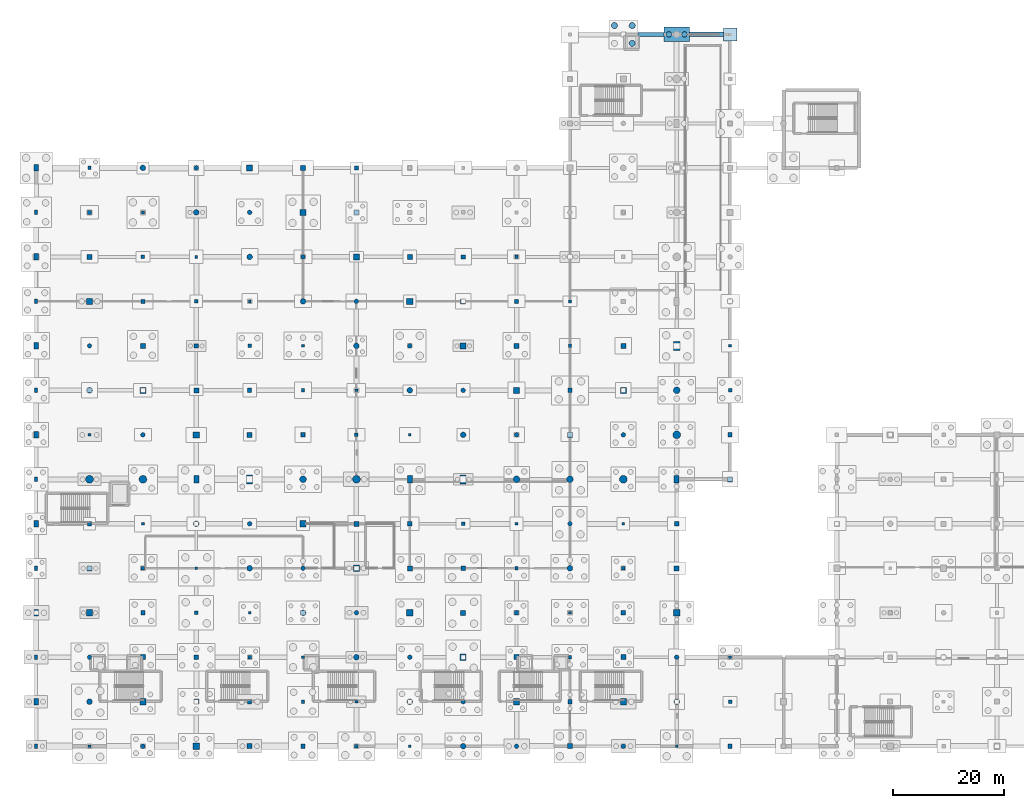
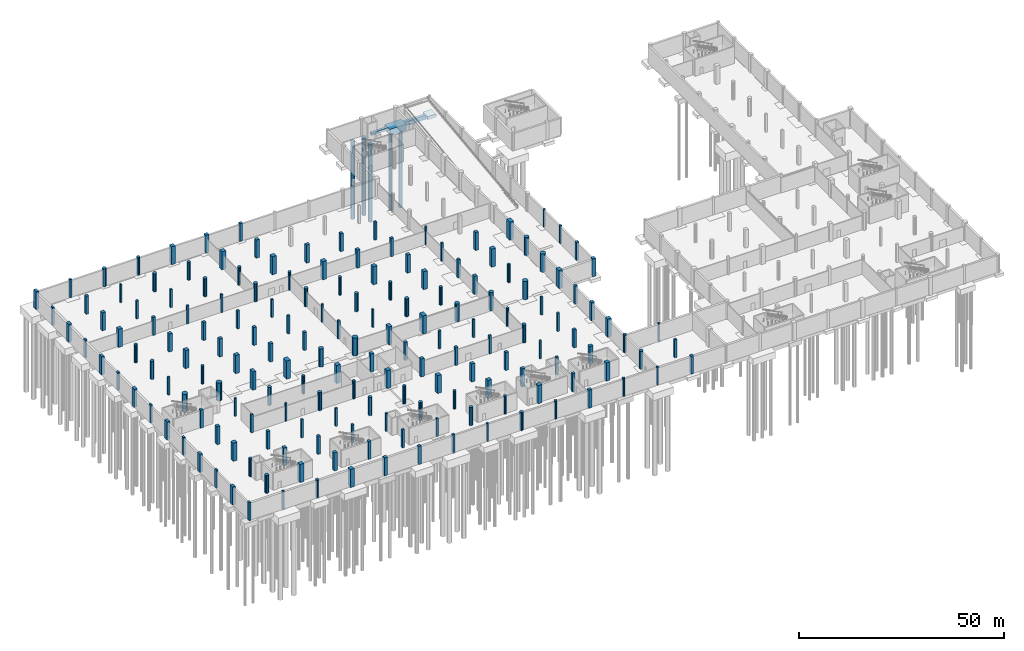
# One storey, part 13 of 44: 172 columns, 5 piles, 4 footings.
"""IFC4 building model written with IfcOpenShell, lengths in metres."""

from ifc_helpers import new_model, si_unit, direction, frame, origin, origin_2d, place, context, subcontext, project, spatial, rectangle, circle, extrude, material, material_profile, profile_set, type_object, element, save


model = new_model("IFC4")

# Units and contexts
model_context = context("Model", 3, precision=1e-05, world=origin(), true_north=direction((0.0, 1.0)))
body_context = subcontext(model_context, "Body", "Model", "MODEL_VIEW")
ifc_project = project(units=[si_unit("LENGTHUNIT", "METRE"), si_unit("AREAUNIT", "SQUARE_METRE"), si_unit("VOLUMEUNIT", "CUBIC_METRE"), si_unit("PLANEANGLEUNIT", "RADIAN"), si_unit("MASSUNIT", "GRAM", prefix="KILO")], contexts=[model_context])

# Site, building, storey
site_placement = place(None, origin())
site = spatial("IfcSite", under=ifc_project, at=site_placement, CompositionType="ELEMENT")
building_placement = place(site_placement, origin())
building = spatial("IfcBuilding", under=site, at=building_placement, Name="Danafjord Basin Convention Centre", CompositionType="ELEMENT")
storey_placement = place(building_placement, frame((0.0, 0.0, -5.39990234375)))
storey = spatial("IfcBuildingStorey", under=building, at=storey_placement, Name="B1", CompositionType="ELEMENT", Elevation=-5.39990234375)

# Footings
ifc_material_1 = material(Name="Concrete C40/50", Category="concrete")
footing_type_1 = type_object("IfcFootingType", Name="CAP-PC-05", PredefinedType="PILE_CAP", material=ifc_material_1)
footing_1_placement = place(storey_placement, frame((115.199951171875, 136.0, -1.7001953125), z_axis=(0.0, 0.0, 1.0), x_axis=(1.0, 0.0, 0.0)))
element("IfcFooting", 1, at=footing_1_placement, inside=storey, type_object=footing_type_1, Name="B1 pile cap PC-05 at (115.2, 136.0)", PredefinedType="PILE_CAP", context=body_context, shape_type="SweptSolid", body=[
    extrude(rectangle(XDim=4.60009765625, YDim=2.60009765625, at=origin_2d()), origin(), (0.0, 0.0, 1.0), 1.699951171875),
])
ifc_material_profile_1 = material_profile(ifc_material_1, rectangle(XDim=0.75, YDim=0.75, at=origin_2d()), Name="RC 750x750")
ifc_profile_set_1 = profile_set([ifc_material_profile_1], Name="Concrete C40/50")
footing_type_2 = type_object("IfcFootingType", Name="FBM-FB-04", PredefinedType="FOOTING_BEAM", material=ifc_profile_set_1)
footing_2_placement = place(storey_placement, frame((108.199951171875, 136.0, -0.375), z_axis=(1.0, 0.0, 0.0), x_axis=(0.0, 1.0, 0.0)))
element("IfcFooting", 2, at=footing_2_placement, inside=storey, type_object=footing_type_2, Name="B1 foundation beam FB-04", PredefinedType="FOOTING_BEAM", context=body_context, shape_type="SweptSolid", body=[
    extrude(rectangle(XDim=0.75, YDim=0.75, at=origin_2d()), origin(), (0.0, 0.0, 1.0), 4.699951171875),
])
ifc_material_profile_2 = material_profile(ifc_material_1, rectangle(XDim=0.800048828125, YDim=1.199951171875, at=origin_2d()), Name="RC 1200x800")
ifc_profile_set_2 = profile_set([ifc_material_profile_2], Name="Concrete C40/50")
footing_type_3 = type_object("IfcFootingType", Name="FBM-FB-06", PredefinedType="FOOTING_BEAM", material=ifc_profile_set_2)
footing_3_placement = place(storey_placement, frame((117.5, 136.0, -0.60009765625), z_axis=(1.0, 0.0, 0.0), x_axis=(0.0, 1.0, 0.0)))
element("IfcFooting", 3, at=footing_3_placement, inside=storey, type_object=footing_type_3, Name="B1 foundation beam FB-06", PredefinedType="FOOTING_BEAM", context=body_context, shape_type="SweptSolid", body=[
    extrude(rectangle(XDim=0.800048828125, YDim=1.199951171875, at=origin_2d()), origin(), (0.0, 0.0, 1.0), 6.10009765625),
])
ifc_material_2 = material(Name="Concrete C35/45", Category="concrete")
footing_type_4 = type_object("IfcFootingType", Name="PAD-PF-03", PredefinedType="PAD_FOOTING", material=ifc_material_2)
footing_4_placement = place(storey_placement, frame((124.800048828125, 136.0, -0.900146484375), z_axis=(0.0, 0.0, 1.0), x_axis=(1.0, 0.0, 0.0)))
element("IfcFooting", 4, at=footing_4_placement, inside=storey, type_object=footing_type_4, Name="B1 pad footing PF-03 at (124.8, 136.0)", PredefinedType="PAD_FOOTING", context=body_context, shape_type="SweptSolid", body=[
    extrude(rectangle(XDim=2.39990234375, YDim=2.39990234375, at=origin_2d()), origin(), (0.0, 0.0, 1.0), 0.89990234375),
])

# Piles
ifc_material_profile_3 = material_profile(ifc_material_1, circle(Radius=0.5, at=origin_2d()), Name="PILE D1000")
ifc_profile_set_3 = profile_set([ifc_material_profile_3], Name="Concrete C40/50")
pile_type_1 = type_object("IfcPileType", Name="PILE-PL-1000", PredefinedType="BORED", material=ifc_profile_set_3)
for number, where, z_axis, x_axis, name in (
    (5, (113.800048828125, 136.0, -1.60009765625), (0.0, 0.0, -1.0), (1.0, 0.0, 0.0), "PC-05 bored pile 1-1"),
    (6, (116.60009765625, 136.0, -1.60009765625), (0.0, 0.0, -1.0), (1.0, 0.0, 0.0), "PC-05 bored pile 2-1"),
):
    element("IfcPile", number, at=place(storey_placement, frame(where, z_axis=z_axis, x_axis=x_axis)), inside=storey, type_object=pile_type_1, Name=name, PredefinedType="BORED", context=body_context, shape_type="SweptSolid", body=[
        extrude(circle(Radius=0.5, at=origin_2d()), origin(), (0.0, 0.0, 1.0), 23.5),
    ])
ifc_material_profile_4 = material_profile(ifc_material_1, circle(Radius=0.550048828125, at=origin_2d()), Name="PILE D1100")
ifc_profile_set_4 = profile_set([ifc_material_profile_4], Name="Concrete C40/50")
pile_type_2 = type_object("IfcPileType", Name="PILE-PL-1100", PredefinedType="BORED", material=ifc_profile_set_4)
for number, where, z_axis, x_axis, name in (
    (7, (104.0, 137.60009765625, -1.900146484375), (0.0, 0.0, -1.0), (1.0, 0.0, 0.0), "PC-13 bored pile 1-2"),
    (8, (107.199951171875, 134.39990234375, -1.900146484375), (0.0, 0.0, -1.0), (1.0, 0.0, 0.0), "PC-13 bored pile 2-1"),
    (9, (107.199951171875, 137.60009765625, -1.900146484375), (0.0, 0.0, -1.0), (1.0, 0.0, 0.0), "PC-13 bored pile 2-2"),
):
    element("IfcPile", number, at=place(storey_placement, frame(where, z_axis=z_axis, x_axis=x_axis)), inside=storey, type_object=pile_type_2, Name=name, PredefinedType="BORED", context=body_context, shape_type="SweptSolid", body=[
        extrude(circle(Radius=0.550048828125, at=origin_2d()), origin(), (0.0, 0.0, 1.0), 23.199951171875),
    ])

# Columns
ifc_material_3 = material(Name="Precast concrete C45/55", Category="concrete")
ifc_material_profile_5 = material_profile(ifc_material_3, rectangle(XDim=0.800048828125, YDim=1.199951171875, at=origin_2d()), Name="RC 1200x800")
ifc_profile_set_5 = profile_set([ifc_material_profile_5], Name="Precast concrete C45/55")
column_type_1 = type_object("IfcColumnType", Name="COL-C-PIL1200", PredefinedType="PILASTER", material=ifc_profile_set_5)
for number, where, z_axis, x_axis, name in (
    (10, (0.0, 16.0, 0.0), (0.0, 0.0, 1.0), (1.0, 0.0, 0.0), "B1 column C-PIL1200 at (0.0, 16.0)"),
    (11, (0.0, 32.0, 0.0), (0.0, 0.0, 1.0), (1.0, 0.0, 0.0), "B1 column C-PIL1200 at (0.0, 32.0)"),
    (12, (0.0, 48.0, 0.0), (0.0, 0.0, 1.0), (1.0, 0.0, 0.0), "B1 column C-PIL1200 at (0.0, 48.0)"),
    (13, (0.0, 64.0, 0.0), (0.0, 0.0, 1.0), (1.0, 0.0, 0.0), "B1 column C-PIL1200 at (0.0, 64.0)"),
    (14, (0.0, 80.0, 0.0), (0.0, 0.0, 1.0), (1.0, 0.0, 0.0), "B1 column C-PIL1200 at (0.0, 80.0)"),
    (15, (0.0, 96.0, 0.0), (0.0, 0.0, 1.0), (1.0, 0.0, 0.0), "B1 column C-PIL1200 at (0.0, 96.0)"),
    (16, (0.0, 112.0, 0.0), (0.0, 0.0, 1.0), (1.0, 0.0, 0.0), "B1 column C-PIL1200 at (0.0, 112.0)"),
):
    element("IfcColumn", number, at=place(storey_placement, frame(where, z_axis=z_axis, x_axis=x_axis)), inside=storey, type_object=column_type_1, Name=name, PredefinedType="PILASTER", context=body_context, shape_type="SweptSolid", body=[
        extrude(rectangle(XDim=0.800048828125, YDim=1.199951171875, at=origin_2d()), origin(), (0.0, 0.0, 1.0), 5.39990234375),
    ])
ifc_material_profile_6 = material_profile(ifc_material_3, rectangle(XDim=0.5, YDim=0.800048828125, at=origin_2d()), Name="PCB 500x800")
ifc_profile_set_6 = profile_set([ifc_material_profile_6], Name="Precast concrete C45/55")
column_type_2 = type_object("IfcColumnType", Name="COL-C-PIL800", PredefinedType="PILASTER", material=ifc_profile_set_6)
for number, where, z_axis, x_axis, name in (
    (17, (0.0, 8.0, 0.0), (0.0, 0.0, 1.0), (1.0, 0.0, 0.0), "B1 column C-PIL800 at (0.0, 8.0)"),
    (18, (0.0, 24.0, 0.0), (0.0, 0.0, 1.0), (1.0, 0.0, 0.0), "B1 column C-PIL800 at (0.0, 24.0)"),
    (19, (0.0, 40.0, 0.0), (0.0, 0.0, 1.0), (1.0, 0.0, 0.0), "B1 column C-PIL800 at (0.0, 40.0)"),
    (20, (0.0, 56.0, 0.0), (0.0, 0.0, 1.0), (1.0, 0.0, 0.0), "B1 column C-PIL800 at (0.0, 56.0)"),
    (21, (0.0, 72.0, 0.0), (0.0, 0.0, 1.0), (1.0, 0.0, 0.0), "B1 column C-PIL800 at (0.0, 72.0)"),
    (22, (0.0, 88.0, 0.0), (0.0, 0.0, 1.0), (1.0, 0.0, 0.0), "B1 column C-PIL800 at (0.0, 88.0)"),
    (23, (0.0, 104.0, 0.0), (0.0, 0.0, 1.0), (1.0, 0.0, 0.0), "B1 column C-PIL800 at (0.0, 104.0)"),
):
    element("IfcColumn", number, at=place(storey_placement, frame(where, z_axis=z_axis, x_axis=x_axis)), inside=storey, type_object=column_type_2, Name=name, PredefinedType="PILASTER", context=body_context, shape_type="SweptSolid", body=[
        extrude(rectangle(XDim=0.5, YDim=0.800048828125, at=origin_2d()), origin(), (0.0, 0.0, 1.0), 5.39990234375),
    ])
ifc_material_4 = material(Name="Concrete C45/55", Category="concrete")
ifc_material_profile_7 = material_profile(ifc_material_4, rectangle(XDim=1.10009765625, YDim=1.10009765625, at=origin_2d()), Name="RC 1100x1100")
ifc_profile_set_7 = profile_set([ifc_material_profile_7], Name="Concrete C45/55")
column_type_3 = type_object("IfcColumnType", Name="COL-C-RC1100", PredefinedType="COLUMN", material=ifc_profile_set_7)
for number, where, z_axis, x_axis, name in (
    (24, (9.60009765625, 32.0, 0.0), (0.0, 0.0, 1.0), (1.0, 0.0, 0.0), "B1 column C-RC1100 at (9.6, 32.0)"),
    (25, (9.60009765625, 88.0, 0.0), (0.0, 0.0, 1.0), (1.0, 0.0, 0.0), "B1 column C-RC1100 at (9.6, 88.0)"),
    (26, (19.199951171875, 16.0, 0.0), (0.0, 0.0, 1.0), (1.0, 0.0, 0.0), "B1 column C-RC1100 at (19.2, 16.0)"),
    (27, (19.199951171875, 72.0, 0.0), (0.0, 0.0, 1.0), (1.0, 0.0, 0.0), "B1 column C-RC1100 at (19.2, 72.0)"),
    (28, (28.800048828125, 8.0, 0.0), (0.0, 0.0, 1.0), (1.0, 0.0, 0.0), "B1 column C-RC1100 at (28.8, 8.0)"),
    (29, (28.800048828125, 64.0, 0.0), (0.0, 0.0, 1.0), (1.0, 0.0, 0.0), "B1 column C-RC1100 at (28.8, 64.0)"),
    (30, (38.39990234375, 112.0, 0.0), (0.0, 0.0, 1.0), (1.0, 0.0, 0.0), "B1 column C-RC1100 at (38.4, 112.0)"),
    (31, (48.0, 48.0, 0.0), (0.0, 0.0, 1.0), (1.0, 0.0, 0.0), "B1 column C-RC1100 at (48.0, 48.0)"),
    (32, (48.0, 104.0, 0.0), (0.0, 0.0, 1.0), (1.0, 0.0, 0.0), "B1 column C-RC1100 at (48.0, 104.0)"),
    (33, (57.60009765625, 40.0, 0.0), (0.0, 0.0, 1.0), (1.0, 0.0, 0.0), "B1 column C-RC1100 at (57.6, 40.0)"),
    (34, (57.60009765625, 96.0, 0.0), (0.0, 0.0, 1.0), (1.0, 0.0, 0.0), "B1 column C-RC1100 at (57.6, 96.0)"),
    (35, (67.199951171875, 32.0, 0.0), (0.0, 0.0, 1.0), (1.0, 0.0, 0.0), "B1 column C-RC1100 at (67.2, 32.0)"),
    (36, (67.199951171875, 88.0, 0.0), (0.0, 0.0, 1.0), (1.0, 0.0, 0.0), "B1 column C-RC1100 at (67.2, 88.0)"),
    (37, (76.800048828125, 24.0, 0.0), (0.0, 0.0, 1.0), (1.0, 0.0, 0.0), "B1 column C-RC1100 at (76.8, 24.0)"),
    (38, (76.800048828125, 80.0, 0.0), (0.0, 0.0, 1.0), (1.0, 0.0, 0.0), "B1 column C-RC1100 at (76.8, 80.0)"),
    (39, (86.39990234375, 16.0, 0.0), (0.0, 0.0, 1.0), (1.0, 0.0, 0.0), "B1 column C-RC1100 at (86.4, 16.0)"),
    (40, (86.39990234375, 72.0, 0.0), (0.0, 0.0, 1.0), (1.0, 0.0, 0.0), "B1 column C-RC1100 at (86.4, 72.0)"),
    (41, (105.60009765625, 16.0, 0.0), (0.0, 0.0, 1.0), (1.0, 0.0, 0.0), "B1 column C-RC1100 at (105.6, 16.0)"),
    (42, (105.60009765625, 72.0, 0.0), (0.0, 0.0, 1.0), (1.0, 0.0, 0.0), "B1 column C-RC1100 at (105.6, 72.0)"),
    (43, (115.199951171875, 32.0, 0.0), (0.0, 0.0, 1.0), (1.0, 0.0, 0.0), "B1 column C-RC1100 at (115.2, 32.0)"),
):
    element("IfcColumn", number, at=place(storey_placement, frame(where, z_axis=z_axis, x_axis=x_axis)), inside=storey, type_object=column_type_3, Name=name, PredefinedType="COLUMN", context=body_context, shape_type="SweptSolid", body=[
        extrude(rectangle(XDim=1.10009765625, YDim=1.10009765625, at=origin_2d()), origin(), (0.0, 0.0, 1.0), 5.39990234375),
    ])
ifc_material_5 = material(Name="Concrete C50/60", Category="concrete")
ifc_material_profile_8 = material_profile(ifc_material_5, rectangle(XDim=0.89990234375, YDim=1.39990234375, at=origin_2d()), Name="RC 1400x900")
ifc_profile_set_8 = profile_set([ifc_material_profile_8], Name="Concrete C50/60")
column_type_4 = type_object("IfcColumnType", Name="COL-C-RC1400", PredefinedType="COLUMN", material=ifc_profile_set_8)
for number, where, z_axis, x_axis, name in (
    (44, (28.800048828125, 56.0, 0.0), (0.0, 0.0, 1.0), (1.0, 0.0, 0.0), "B1 column C-RC1400 at (28.8, 56.0)"),
    (45, (67.199951171875, 56.0, 0.0), (0.0, 0.0, 1.0), (1.0, 0.0, 0.0), "B1 column C-RC1400 at (67.2, 56.0)"),
    (46, (115.199951171875, 56.0, 0.0), (0.0, 0.0, 1.0), (1.0, 0.0, 0.0), "B1 column C-RC1400 at (115.2, 56.0)"),
):
    element("IfcColumn", number, at=place(storey_placement, frame(where, z_axis=z_axis, x_axis=x_axis)), inside=storey, type_object=column_type_4, Name=name, PredefinedType="COLUMN", context=body_context, shape_type="SweptSolid", body=[
        extrude(rectangle(XDim=0.89990234375, YDim=1.39990234375, at=origin_2d()), origin(), (0.0, 0.0, 1.0), 5.39990234375),
    ])
ifc_material_profile_9 = material_profile(ifc_material_5, rectangle(XDim=1.10009765625, YDim=1.60009765625, at=origin_2d()), Name="RC 1600x1100")
ifc_profile_set_9 = profile_set([ifc_material_profile_9], Name="Concrete C50/60")
column_type_5 = type_object("IfcColumnType", Name="COL-C-RC1600", PredefinedType="COLUMN", material=ifc_profile_set_9)
for number, where, z_axis, x_axis, name in (
    (47, (38.39990234375, 56.0, 0.0), (0.0, 0.0, 1.0), (1.0, 0.0, 0.0), "B1 column C-RC1600 at (38.4, 56.0)"),
    (48, (76.800048828125, 56.0, 0.0), (0.0, 0.0, 1.0), (1.0, 0.0, 0.0), "B1 column C-RC1600 at (76.8, 56.0)"),
    (49, (115.199951171875, 80.0, 0.0), (0.0, 0.0, 1.0), (1.0, 0.0, 0.0), "B1 column C-RC1600 at (115.2, 80.0)"),
):
    element("IfcColumn", number, at=place(storey_placement, frame(where, z_axis=z_axis, x_axis=x_axis)), inside=storey, type_object=column_type_5, Name=name, PredefinedType="COLUMN", context=body_context, shape_type="SweptSolid", body=[
        extrude(rectangle(XDim=1.10009765625, YDim=1.60009765625, at=origin_2d()), origin(), (0.0, 0.0, 1.0), 5.39990234375),
    ])
ifc_material_profile_10 = material_profile(ifc_material_1, rectangle(XDim=0.5, YDim=0.5, at=origin_2d()), Name="RC 500x500")
ifc_profile_set_10 = profile_set([ifc_material_profile_10], Name="Concrete C40/50")
column_type_6 = type_object("IfcColumnType", Name="COL-C-RC500", PredefinedType="COLUMN", material=ifc_profile_set_10)
for number, where, z_axis, x_axis, name in (
    (50, (9.60009765625, 8.0, 0.0), (0.0, 0.0, 1.0), (1.0, 0.0, 0.0), "B1 column C-RC500 at (9.6, 8.0)"),
    (51, (9.60009765625, 64.0, 0.0), (0.0, 0.0, 1.0), (1.0, 0.0, 0.0), "B1 column C-RC500 at (9.6, 64.0)"),
    (52, (19.199951171875, 48.0, 0.0), (0.0, 0.0, 1.0), (1.0, 0.0, 0.0), "B1 column C-RC500 at (19.2, 48.0)"),
    (53, (19.199951171875, 104.0, 0.0), (0.0, 0.0, 1.0), (1.0, 0.0, 0.0), "B1 column C-RC500 at (19.2, 104.0)"),
    (54, (28.800048828125, 40.0, 0.0), (0.0, 0.0, 1.0), (1.0, 0.0, 0.0), "B1 column C-RC500 at (28.8, 40.0)"),
    (55, (28.800048828125, 96.0, 0.0), (0.0, 0.0, 1.0), (1.0, 0.0, 0.0), "B1 column C-RC500 at (28.8, 96.0)"),
    (56, (38.39990234375, 32.0, 0.0), (0.0, 0.0, 1.0), (1.0, 0.0, 0.0), "B1 column C-RC500 at (38.4, 32.0)"),
    (57, (38.39990234375, 88.0, 0.0), (0.0, 0.0, 1.0), (1.0, 0.0, 0.0), "B1 column C-RC500 at (38.4, 88.0)"),
    (58, (48.0, 24.0, 0.0), (0.0, 0.0, 1.0), (1.0, 0.0, 0.0), "B1 column C-RC500 at (48.0, 24.0)"),
    (59, (48.0, 80.0, 0.0), (0.0, 0.0, 1.0), (1.0, 0.0, 0.0), "B1 column C-RC500 at (48.0, 80.0)"),
    (60, (57.60009765625, 16.0, 0.0), (0.0, 0.0, 1.0), (1.0, 0.0, 0.0), "B1 column C-RC500 at (57.6, 16.0)"),
    (61, (57.60009765625, 72.0, 0.0), (0.0, 0.0, 1.0), (1.0, 0.0, 0.0), "B1 column C-RC500 at (57.6, 72.0)"),
    (62, (67.199951171875, 8.0, 0.0), (0.0, 0.0, 1.0), (1.0, 0.0, 0.0), "B1 column C-RC500 at (67.2, 8.0)"),
    (63, (67.199951171875, 64.0, 0.0), (0.0, 0.0, 1.0), (1.0, 0.0, 0.0), "B1 column C-RC500 at (67.2, 64.0)"),
    (64, (86.39990234375, 48.0, 0.0), (0.0, 0.0, 1.0), (1.0, 0.0, 0.0), "B1 column C-RC500 at (86.4, 48.0)"),
    (65, (96.0, 32.0, 0.0), (0.0, 0.0, 1.0), (1.0, 0.0, 0.0), "B1 column C-RC500 at (96.0, 32.0)"),
    (66, (96.0, 88.0, 0.0), (0.0, 0.0, 1.0), (1.0, 0.0, 0.0), "B1 column C-RC500 at (96.0, 88.0)"),
    (67, (105.60009765625, 48.0, 0.0), (0.0, 0.0, 1.0), (1.0, 0.0, 0.0), "B1 column C-RC500 at (105.6, 48.0)"),
    (68, (115.199951171875, 8.0, 0.0), (0.0, 0.0, 1.0), (1.0, 0.0, 0.0), "B1 column C-RC500 at (115.2, 8.0)"),
    (69, (124.800048828125, 24.0, 0.0), (0.0, 0.0, 1.0), (1.0, 0.0, 0.0), "B1 column C-RC500 at (124.8, 24.0)"),
    (70, (124.800048828125, 80.0, 0.0), (0.0, 0.0, 1.0), (1.0, 0.0, 0.0), "B1 column C-RC500 at (124.8, 80.0)"),
):
    element("IfcColumn", number, at=place(storey_placement, frame(where, z_axis=z_axis, x_axis=x_axis)), inside=storey, type_object=column_type_6, Name=name, PredefinedType="COLUMN", context=body_context, shape_type="SweptSolid", body=[
        extrude(rectangle(XDim=0.5, YDim=0.5, at=origin_2d()), origin(), (0.0, 0.0, 1.0), 5.39990234375),
    ])
ifc_material_profile_11 = material_profile(ifc_material_1, rectangle(XDim=0.60009765625, YDim=0.60009765625, at=origin_2d()), Name="RC 600x600")
ifc_profile_set_11 = profile_set([ifc_material_profile_11], Name="Concrete C40/50")
column_type_7 = type_object("IfcColumnType", Name="COL-C-RC600", PredefinedType="COLUMN", material=ifc_profile_set_11)
for number, where, z_axis, x_axis, name in (
    (71, (9.60009765625, 112.0, 0.0), (0.0, 0.0, 1.0), (1.0, 0.0, 0.0), "B1 column C-RC600 at (9.6, 112.0)"),
    (72, (19.199951171875, 40.0, 0.0), (0.0, 0.0, 1.0), (1.0, 0.0, 0.0), "B1 column C-RC600 at (19.2, 40.0)"),
    (73, (19.199951171875, 96.0, 0.0), (0.0, 0.0, 1.0), (1.0, 0.0, 0.0), "B1 column C-RC600 at (19.2, 96.0)"),
    (74, (28.800048828125, 32.0, 0.0), (0.0, 0.0, 1.0), (1.0, 0.0, 0.0), "B1 column C-RC600 at (28.8, 32.0)"),
    (75, (28.800048828125, 88.0, 0.0), (0.0, 0.0, 1.0), (1.0, 0.0, 0.0), "B1 column C-RC600 at (28.8, 88.0)"),
    (76, (38.39990234375, 24.0, 0.0), (0.0, 0.0, 1.0), (1.0, 0.0, 0.0), "B1 column C-RC600 at (38.4, 24.0)"),
    (77, (38.39990234375, 80.0, 0.0), (0.0, 0.0, 1.0), (1.0, 0.0, 0.0), "B1 column C-RC600 at (38.4, 80.0)"),
    (78, (48.0, 16.0, 0.0), (0.0, 0.0, 1.0), (1.0, 0.0, 0.0), "B1 column C-RC600 at (48.0, 16.0)"),
    (79, (48.0, 72.0, 0.0), (0.0, 0.0, 1.0), (1.0, 0.0, 0.0), "B1 column C-RC600 at (48.0, 72.0)"),
    (80, (57.60009765625, 8.0, 0.0), (0.0, 0.0, 1.0), (1.0, 0.0, 0.0), "B1 column C-RC600 at (57.6, 8.0)"),
    (81, (57.60009765625, 64.0, 0.0), (0.0, 0.0, 1.0), (1.0, 0.0, 0.0), "B1 column C-RC600 at (57.6, 64.0)"),
    (82, (76.800048828125, 48.0, 0.0), (0.0, 0.0, 1.0), (1.0, 0.0, 0.0), "B1 column C-RC600 at (76.8, 48.0)"),
    (83, (86.39990234375, 40.0, 0.0), (0.0, 0.0, 1.0), (1.0, 0.0, 0.0), "B1 column C-RC600 at (86.4, 40.0)"),
    (84, (86.39990234375, 96.0, 0.0), (0.0, 0.0, 1.0), (1.0, 0.0, 0.0), "B1 column C-RC600 at (86.4, 96.0)"),
    (85, (96.0, 24.0, 0.0), (0.0, 0.0, 1.0), (1.0, 0.0, 0.0), "B1 column C-RC600 at (96.0, 24.0)"),
    (86, (96.0, 80.0, 0.0), (0.0, 0.0, 1.0), (1.0, 0.0, 0.0), "B1 column C-RC600 at (96.0, 80.0)"),
    (87, (105.60009765625, 40.0, 0.0), (0.0, 0.0, 1.0), (1.0, 0.0, 0.0), "B1 column C-RC600 at (105.6, 40.0)"),
    (88, (124.800048828125, 16.0, 0.0), (0.0, 0.0, 1.0), (1.0, 0.0, 0.0), "B1 column C-RC600 at (124.8, 16.0)"),
    (89, (124.800048828125, 72.0, 0.0), (0.0, 0.0, 1.0), (1.0, 0.0, 0.0), "B1 column C-RC600 at (124.8, 72.0)"),
):
    element("IfcColumn", number, at=place(storey_placement, frame(where, z_axis=z_axis, x_axis=x_axis)), inside=storey, type_object=column_type_7, Name=name, PredefinedType="COLUMN", context=body_context, shape_type="SweptSolid", body=[
        extrude(rectangle(XDim=0.60009765625, YDim=0.60009765625, at=origin_2d()), origin(), (0.0, 0.0, 1.0), 5.39990234375),
    ])
ifc_material_profile_12 = material_profile(ifc_material_1, rectangle(XDim=0.75, YDim=0.75, at=origin_2d()), Name="RC 750x750")
ifc_profile_set_12 = profile_set([ifc_material_profile_12], Name="Concrete C40/50")
column_type_8 = type_object("IfcColumnType", Name="COL-C-RC750", PredefinedType="COLUMN", material=ifc_profile_set_12)
for number, where, z_axis, x_axis, name in (
    (90, (9.60009765625, 48.0, 0.0), (0.0, 0.0, 1.0), (1.0, 0.0, 0.0), "B1 column C-RC750 at (9.6, 48.0)"),
    (91, (9.60009765625, 104.0, 0.0), (0.0, 0.0, 1.0), (1.0, 0.0, 0.0), "B1 column C-RC750 at (9.6, 104.0)"),
    (92, (19.199951171875, 32.0, 0.0), (0.0, 0.0, 1.0), (1.0, 0.0, 0.0), "B1 column C-RC750 at (19.2, 32.0)"),
    (93, (19.199951171875, 88.0, 0.0), (0.0, 0.0, 1.0), (1.0, 0.0, 0.0), "B1 column C-RC750 at (19.2, 88.0)"),
    (94, (28.800048828125, 24.0, 0.0), (0.0, 0.0, 1.0), (1.0, 0.0, 0.0), "B1 column C-RC750 at (28.8, 24.0)"),
    (95, (28.800048828125, 80.0, 0.0), (0.0, 0.0, 1.0), (1.0, 0.0, 0.0), "B1 column C-RC750 at (28.8, 80.0)"),
    (96, (38.39990234375, 16.0, 0.0), (0.0, 0.0, 1.0), (1.0, 0.0, 0.0), "B1 column C-RC750 at (38.4, 16.0)"),
    (97, (38.39990234375, 72.0, 0.0), (0.0, 0.0, 1.0), (1.0, 0.0, 0.0), "B1 column C-RC750 at (38.4, 72.0)"),
    (98, (48.0, 8.0, 0.0), (0.0, 0.0, 1.0), (1.0, 0.0, 0.0), "B1 column C-RC750 at (48.0, 8.0)"),
    (99, (48.0, 64.0, 0.0), (0.0, 0.0, 1.0), (1.0, 0.0, 0.0), "B1 column C-RC750 at (48.0, 64.0)"),
    (100, (57.60009765625, 112.0, 0.0), (0.0, 0.0, 1.0), (1.0, 0.0, 0.0), "B1 column C-RC750 at (57.6, 112.0)"),
    (101, (67.199951171875, 48.0, 0.0), (0.0, 0.0, 1.0), (1.0, 0.0, 0.0), "B1 column C-RC750 at (67.2, 48.0)"),
    (102, (76.800048828125, 40.0, 0.0), (0.0, 0.0, 1.0), (1.0, 0.0, 0.0), "B1 column C-RC750 at (76.8, 40.0)"),
    (103, (76.800048828125, 96.0, 0.0), (0.0, 0.0, 1.0), (1.0, 0.0, 0.0), "B1 column C-RC750 at (76.8, 96.0)"),
    (104, (86.39990234375, 32.0, 0.0), (0.0, 0.0, 1.0), (1.0, 0.0, 0.0), "B1 column C-RC750 at (86.4, 32.0)"),
    (105, (86.39990234375, 88.0, 0.0), (0.0, 0.0, 1.0), (1.0, 0.0, 0.0), "B1 column C-RC750 at (86.4, 88.0)"),
    (106, (96.0, 16.0, 0.0), (0.0, 0.0, 1.0), (1.0, 0.0, 0.0), "B1 column C-RC750 at (96.0, 16.0)"),
    (107, (96.0, 72.0, 0.0), (0.0, 0.0, 1.0), (1.0, 0.0, 0.0), "B1 column C-RC750 at (96.0, 72.0)"),
    (108, (105.60009765625, 32.0, 0.0), (0.0, 0.0, 1.0), (1.0, 0.0, 0.0), "B1 column C-RC750 at (105.6, 32.0)"),
    (109, (115.199951171875, 48.0, 0.0), (0.0, 0.0, 1.0), (1.0, 0.0, 0.0), "B1 column C-RC750 at (115.2, 48.0)"),
    (110, (124.800048828125, 8.0, 0.0), (0.0, 0.0, 1.0), (1.0, 0.0, 0.0), "B1 column C-RC750 at (124.8, 8.0)"),
    (111, (124.800048828125, 64.0, 0.0), (0.0, 0.0, 1.0), (1.0, 0.0, 0.0), "B1 column C-RC750 at (124.8, 64.0)"),
):
    element("IfcColumn", number, at=place(storey_placement, frame(where, z_axis=z_axis, x_axis=x_axis)), inside=storey, type_object=column_type_8, Name=name, PredefinedType="COLUMN", context=body_context, shape_type="SweptSolid", body=[
        extrude(rectangle(XDim=0.75, YDim=0.75, at=origin_2d()), origin(), (0.0, 0.0, 1.0), 5.39990234375),
    ])
ifc_material_profile_13 = material_profile(ifc_material_4, rectangle(XDim=0.89990234375, YDim=0.89990234375, at=origin_2d()), Name="RC 900x900")
ifc_profile_set_13 = profile_set([ifc_material_profile_13], Name="Concrete C45/55")
column_type_9 = type_object("IfcColumnType", Name="COL-C-RC900", PredefinedType="COLUMN", material=ifc_profile_set_13)
for number, where, z_axis, x_axis, name in (
    (112, (9.60009765625, 40.0, 0.0), (0.0, 0.0, 1.0), (1.0, 0.0, 0.0), "B1 column C-RC900 at (9.6, 40.0)"),
    (113, (9.60009765625, 96.0, 0.0), (0.0, 0.0, 1.0), (1.0, 0.0, 0.0), "B1 column C-RC900 at (9.6, 96.0)"),
    (114, (19.199951171875, 24.0, 0.0), (0.0, 0.0, 1.0), (1.0, 0.0, 0.0), "B1 column C-RC900 at (19.2, 24.0)"),
    (115, (19.199951171875, 80.0, 0.0), (0.0, 0.0, 1.0), (1.0, 0.0, 0.0), "B1 column C-RC900 at (19.2, 80.0)"),
    (116, (28.800048828125, 16.0, 0.0), (0.0, 0.0, 1.0), (1.0, 0.0, 0.0), "B1 column C-RC900 at (28.8, 16.0)"),
    (117, (28.800048828125, 72.0, 0.0), (0.0, 0.0, 1.0), (1.0, 0.0, 0.0), "B1 column C-RC900 at (28.8, 72.0)"),
    (118, (38.39990234375, 8.0, 0.0), (0.0, 0.0, 1.0), (1.0, 0.0, 0.0), "B1 column C-RC900 at (38.4, 8.0)"),
    (119, (38.39990234375, 64.0, 0.0), (0.0, 0.0, 1.0), (1.0, 0.0, 0.0), "B1 column C-RC900 at (38.4, 64.0)"),
    (120, (48.0, 112.0, 0.0), (0.0, 0.0, 1.0), (1.0, 0.0, 0.0), "B1 column C-RC900 at (48.0, 112.0)"),
    (121, (57.60009765625, 48.0, 0.0), (0.0, 0.0, 1.0), (1.0, 0.0, 0.0), "B1 column C-RC900 at (57.6, 48.0)"),
    (122, (57.60009765625, 104.0, 0.0), (0.0, 0.0, 1.0), (1.0, 0.0, 0.0), "B1 column C-RC900 at (57.6, 104.0)"),
    (123, (67.199951171875, 40.0, 0.0), (0.0, 0.0, 1.0), (1.0, 0.0, 0.0), "B1 column C-RC900 at (67.2, 40.0)"),
    (124, (67.199951171875, 96.0, 0.0), (0.0, 0.0, 1.0), (1.0, 0.0, 0.0), "B1 column C-RC900 at (67.2, 96.0)"),
    (125, (76.800048828125, 32.0, 0.0), (0.0, 0.0, 1.0), (1.0, 0.0, 0.0), "B1 column C-RC900 at (76.8, 32.0)"),
    (126, (76.800048828125, 88.0, 0.0), (0.0, 0.0, 1.0), (1.0, 0.0, 0.0), "B1 column C-RC900 at (76.8, 88.0)"),
    (127, (86.39990234375, 24.0, 0.0), (0.0, 0.0, 1.0), (1.0, 0.0, 0.0), "B1 column C-RC900 at (86.4, 24.0)"),
    (128, (86.39990234375, 80.0, 0.0), (0.0, 0.0, 1.0), (1.0, 0.0, 0.0), "B1 column C-RC900 at (86.4, 80.0)"),
    (129, (96.0, 8.0, 0.0), (0.0, 0.0, 1.0), (1.0, 0.0, 0.0), "B1 column C-RC900 at (96.0, 8.0)"),
    (130, (96.0, 64.0, 0.0), (0.0, 0.0, 1.0), (1.0, 0.0, 0.0), "B1 column C-RC900 at (96.0, 64.0)"),
    (131, (105.60009765625, 24.0, 0.0), (0.0, 0.0, 1.0), (1.0, 0.0, 0.0), "B1 column C-RC900 at (105.6, 24.0)"),
    (132, (105.60009765625, 80.0, 0.0), (0.0, 0.0, 1.0), (1.0, 0.0, 0.0), "B1 column C-RC900 at (105.6, 80.0)"),
    (133, (115.199951171875, 40.0, 0.0), (0.0, 0.0, 1.0), (1.0, 0.0, 0.0), "B1 column C-RC900 at (115.2, 40.0)"),
    (134, (124.800048828125, 56.0, 0.0), (0.0, 0.0, 1.0), (1.0, 0.0, 0.0), "B1 column C-RC900 at (124.8, 56.0)"),
):
    element("IfcColumn", number, at=place(storey_placement, frame(where, z_axis=z_axis, x_axis=x_axis)), inside=storey, type_object=column_type_9, Name=name, PredefinedType="COLUMN", context=body_context, shape_type="SweptSolid", body=[
        extrude(rectangle(XDim=0.89990234375, YDim=0.89990234375, at=origin_2d()), origin(), (0.0, 0.0, 1.0), 5.39990234375),
    ])
ifc_material_profile_14 = material_profile(ifc_material_4, circle(Radius=0.5, at=origin_2d()), Name="RC D1000")
ifc_profile_set_14 = profile_set([ifc_material_profile_14], Name="Concrete C45/55")
column_type_10 = type_object("IfcColumnType", Name="COL-C-RCD1000", PredefinedType="COLUMN", material=ifc_profile_set_14)
for number, where, z_axis, x_axis, name in (
    (135, (9.60009765625, 16.0, 0.0), (0.0, 0.0, 1.0), (1.0, 0.0, 0.0), "B1 column C-RCD1000 at (9.6, 16.0)"),
    (136, (9.60009765625, 72.0, 0.0), (0.0, 0.0, 1.0), (1.0, 0.0, 0.0), "B1 column C-RCD1000 at (9.6, 72.0)"),
    (137, (19.199951171875, 112.0, 0.0), (0.0, 0.0, 1.0), (1.0, 0.0, 0.0), "B1 column C-RCD1000 at (19.2, 112.0)"),
    (138, (28.800048828125, 48.0, 0.0), (0.0, 0.0, 1.0), (1.0, 0.0, 0.0), "B1 column C-RCD1000 at (28.8, 48.0)"),
    (139, (28.800048828125, 104.0, 0.0), (0.0, 0.0, 1.0), (1.0, 0.0, 0.0), "B1 column C-RCD1000 at (28.8, 104.0)"),
    (140, (38.39990234375, 40.0, 0.0), (0.0, 0.0, 1.0), (1.0, 0.0, 0.0), "B1 column C-RCD1000 at (38.4, 40.0)"),
    (141, (38.39990234375, 96.0, 0.0), (0.0, 0.0, 1.0), (1.0, 0.0, 0.0), "B1 column C-RCD1000 at (38.4, 96.0)"),
    (142, (48.0, 32.0, 0.0), (0.0, 0.0, 1.0), (1.0, 0.0, 0.0), "B1 column C-RCD1000 at (48.0, 32.0)"),
    (143, (48.0, 88.0, 0.0), (0.0, 0.0, 1.0), (1.0, 0.0, 0.0), "B1 column C-RCD1000 at (48.0, 88.0)"),
    (144, (57.60009765625, 24.0, 0.0), (0.0, 0.0, 1.0), (1.0, 0.0, 0.0), "B1 column C-RCD1000 at (57.6, 24.0)"),
    (145, (57.60009765625, 80.0, 0.0), (0.0, 0.0, 1.0), (1.0, 0.0, 0.0), "B1 column C-RCD1000 at (57.6, 80.0)"),
    (146, (67.199951171875, 16.0, 0.0), (0.0, 0.0, 1.0), (1.0, 0.0, 0.0), "B1 column C-RCD1000 at (67.2, 16.0)"),
    (147, (67.199951171875, 72.0, 0.0), (0.0, 0.0, 1.0), (1.0, 0.0, 0.0), "B1 column C-RCD1000 at (67.2, 72.0)"),
    (148, (76.800048828125, 8.0, 0.0), (0.0, 0.0, 1.0), (1.0, 0.0, 0.0), "B1 column C-RCD1000 at (76.8, 8.0)"),
    (149, (76.800048828125, 64.0, 0.0), (0.0, 0.0, 1.0), (1.0, 0.0, 0.0), "B1 column C-RCD1000 at (76.8, 64.0)"),
    (150, (96.0, 40.0, 0.0), (0.0, 0.0, 1.0), (1.0, 0.0, 0.0), "B1 column C-RCD1000 at (96.0, 40.0)"),
    (151, (115.199951171875, 16.0, 0.0), (0.0, 0.0, 1.0), (1.0, 0.0, 0.0), "B1 column C-RCD1000 at (115.2, 16.0)"),
):
    element("IfcColumn", number, at=place(storey_placement, frame(where, z_axis=z_axis, x_axis=x_axis)), inside=storey, type_object=column_type_10, Name=name, PredefinedType="COLUMN", context=body_context, shape_type="SweptSolid", body=[
        extrude(circle(Radius=0.5, at=origin_2d()), origin(), (0.0, 0.0, 1.0), 5.39990234375),
    ])
ifc_material_profile_15 = material_profile(ifc_material_5, circle(Radius=0.60009765625, at=origin_2d()), Name="RC D1200")
ifc_profile_set_15 = profile_set([ifc_material_profile_15], Name="Concrete C50/60")
column_type_11 = type_object("IfcColumnType", Name="COL-C-RCD1200", PredefinedType="COLUMN", material=ifc_profile_set_15)
for number, where, z_axis, x_axis, name in (
    (152, (48.0, 56.0, 0.0), (0.0, 0.0, 1.0), (1.0, 0.0, 0.0), "B1 column C-RCD1200 at (48.0, 56.0)"),
    (153, (86.39990234375, 56.0, 0.0), (0.0, 0.0, 1.0), (1.0, 0.0, 0.0), "B1 column C-RCD1200 at (86.4, 56.0)"),
    (154, (96.0, 56.0, 0.0), (0.0, 0.0, 1.0), (1.0, 0.0, 0.0), "B1 column C-RCD1200 at (96.0, 56.0)"),
    (155, (115.199951171875, 72.0, 0.0), (0.0, 0.0, 1.0), (1.0, 0.0, 0.0), "B1 column C-RCD1200 at (115.2, 72.0)"),
):
    element("IfcColumn", number, at=place(storey_placement, frame(where, z_axis=z_axis, x_axis=x_axis)), inside=storey, type_object=column_type_11, Name=name, PredefinedType="COLUMN", context=body_context, shape_type="SweptSolid", body=[
        extrude(circle(Radius=0.60009765625, at=origin_2d()), origin(), (0.0, 0.0, 1.0), 5.39990234375),
    ])
ifc_material_profile_16 = material_profile(ifc_material_5, circle(Radius=0.699951171875, at=origin_2d()), Name="RC D1400")
ifc_profile_set_16 = profile_set([ifc_material_profile_16], Name="Concrete C50/60")
column_type_12 = type_object("IfcColumnType", Name="COL-C-RCD1400", PredefinedType="COLUMN", material=ifc_profile_set_16)
for number, where, z_axis, x_axis, name in (
    (156, (9.60009765625, 56.0, 0.0), (0.0, 0.0, 1.0), (1.0, 0.0, 0.0), "B1 column C-RCD1400 at (9.6, 56.0)"),
    (157, (19.199951171875, 56.0, 0.0), (0.0, 0.0, 1.0), (1.0, 0.0, 0.0), "B1 column C-RCD1400 at (19.2, 56.0)"),
    (158, (57.60009765625, 56.0, 0.0), (0.0, 0.0, 1.0), (1.0, 0.0, 0.0), "B1 column C-RCD1400 at (57.6, 56.0)"),
    (159, (105.60009765625, 56.0, 0.0), (0.0, 0.0, 1.0), (1.0, 0.0, 0.0), "B1 column C-RCD1400 at (105.6, 56.0)"),
    (160, (115.199951171875, 64.0, 0.0), (0.0, 0.0, 1.0), (1.0, 0.0, 0.0), "B1 column C-RCD1400 at (115.2, 64.0)"),
):
    element("IfcColumn", number, at=place(storey_placement, frame(where, z_axis=z_axis, x_axis=x_axis)), inside=storey, type_object=column_type_12, Name=name, PredefinedType="COLUMN", context=body_context, shape_type="SweptSolid", body=[
        extrude(circle(Radius=0.699951171875, at=origin_2d()), origin(), (0.0, 0.0, 1.0), 5.39990234375),
    ])
ifc_material_profile_17 = material_profile(ifc_material_4, circle(Radius=0.39990234375, at=origin_2d()), Name="RC D800")
ifc_profile_set_17 = profile_set([ifc_material_profile_17], Name="Concrete C45/55")
column_type_13 = type_object("IfcColumnType", Name="COL-C-RCD800", PredefinedType="COLUMN", material=ifc_profile_set_17)
for number, where, z_axis, x_axis, name in (
    (161, (9.60009765625, 24.0, 0.0), (0.0, 0.0, 1.0), (1.0, 0.0, 0.0), "B1 column C-RCD800 at (9.6, 24.0)"),
    (162, (9.60009765625, 80.0, 0.0), (0.0, 0.0, 1.0), (1.0, 0.0, 0.0), "B1 column C-RCD800 at (9.6, 80.0)"),
    (163, (19.199951171875, 8.0, 0.0), (0.0, 0.0, 1.0), (1.0, 0.0, 0.0), "B1 column C-RCD800 at (19.2, 8.0)"),
    (164, (19.199951171875, 64.0, 0.0), (0.0, 0.0, 1.0), (1.0, 0.0, 0.0), "B1 column C-RCD800 at (19.2, 64.0)"),
    (165, (28.800048828125, 112.0, 0.0), (0.0, 0.0, 1.0), (1.0, 0.0, 0.0), "B1 column C-RCD800 at (28.8, 112.0)"),
    (166, (38.39990234375, 48.0, 0.0), (0.0, 0.0, 1.0), (1.0, 0.0, 0.0), "B1 column C-RCD800 at (38.4, 48.0)"),
    (167, (38.39990234375, 104.0, 0.0), (0.0, 0.0, 1.0), (1.0, 0.0, 0.0), "B1 column C-RCD800 at (38.4, 104.0)"),
    (168, (48.0, 40.0, 0.0), (0.0, 0.0, 1.0), (1.0, 0.0, 0.0), "B1 column C-RCD800 at (48.0, 40.0)"),
    (169, (48.0, 96.0, 0.0), (0.0, 0.0, 1.0), (1.0, 0.0, 0.0), "B1 column C-RCD800 at (48.0, 96.0)"),
    (170, (57.60009765625, 32.0, 0.0), (0.0, 0.0, 1.0), (1.0, 0.0, 0.0), "B1 column C-RCD800 at (57.6, 32.0)"),
    (171, (57.60009765625, 88.0, 0.0), (0.0, 0.0, 1.0), (1.0, 0.0, 0.0), "B1 column C-RCD800 at (57.6, 88.0)"),
    (172, (67.199951171875, 24.0, 0.0), (0.0, 0.0, 1.0), (1.0, 0.0, 0.0), "B1 column C-RCD800 at (67.2, 24.0)"),
    (173, (67.199951171875, 80.0, 0.0), (0.0, 0.0, 1.0), (1.0, 0.0, 0.0), "B1 column C-RCD800 at (67.2, 80.0)"),
    (174, (76.800048828125, 16.0, 0.0), (0.0, 0.0, 1.0), (1.0, 0.0, 0.0), "B1 column C-RCD800 at (76.8, 16.0)"),
    (175, (76.800048828125, 72.0, 0.0), (0.0, 0.0, 1.0), (1.0, 0.0, 0.0), "B1 column C-RCD800 at (76.8, 72.0)"),
    (176, (86.39990234375, 8.0, 0.0), (0.0, 0.0, 1.0), (1.0, 0.0, 0.0), "B1 column C-RCD800 at (86.4, 8.0)"),
    (177, (86.39990234375, 64.0, 0.0), (0.0, 0.0, 1.0), (1.0, 0.0, 0.0), "B1 column C-RCD800 at (86.4, 64.0)"),
    (178, (96.0, 48.0, 0.0), (0.0, 0.0, 1.0), (1.0, 0.0, 0.0), "B1 column C-RCD800 at (96.0, 48.0)"),
    (179, (105.60009765625, 8.0, 0.0), (0.0, 0.0, 1.0), (1.0, 0.0, 0.0), "B1 column C-RCD800 at (105.6, 8.0)"),
    (180, (105.60009765625, 64.0, 0.0), (0.0, 0.0, 1.0), (1.0, 0.0, 0.0), "B1 column C-RCD800 at (105.6, 64.0)"),
    (181, (115.199951171875, 24.0, 0.0), (0.0, 0.0, 1.0), (1.0, 0.0, 0.0), "B1 column C-RCD800 at (115.2, 24.0)"),
):
    element("IfcColumn", number, at=place(storey_placement, frame(where, z_axis=z_axis, x_axis=x_axis)), inside=storey, type_object=column_type_13, Name=name, PredefinedType="COLUMN", context=body_context, shape_type="SweptSolid", body=[
        extrude(circle(Radius=0.39990234375, at=origin_2d()), origin(), (0.0, 0.0, 1.0), 5.39990234375),
    ])

save(model, "model.ifc")
